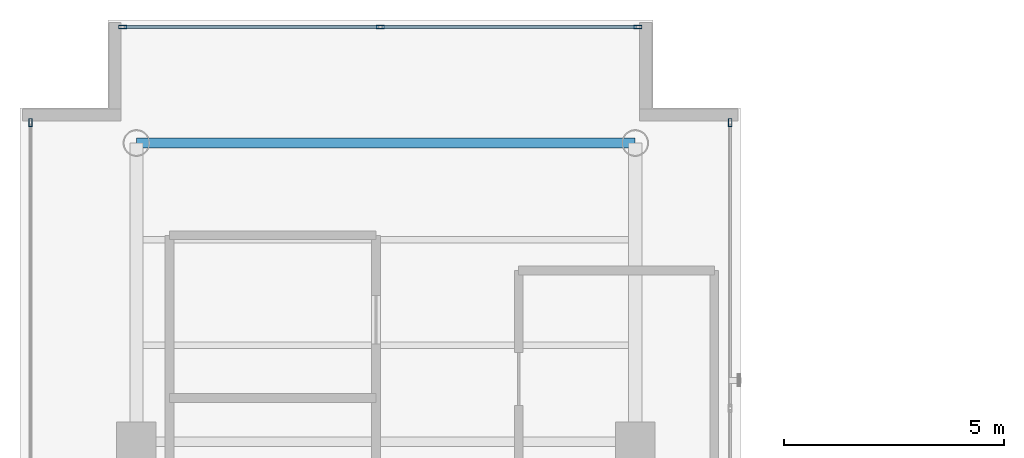
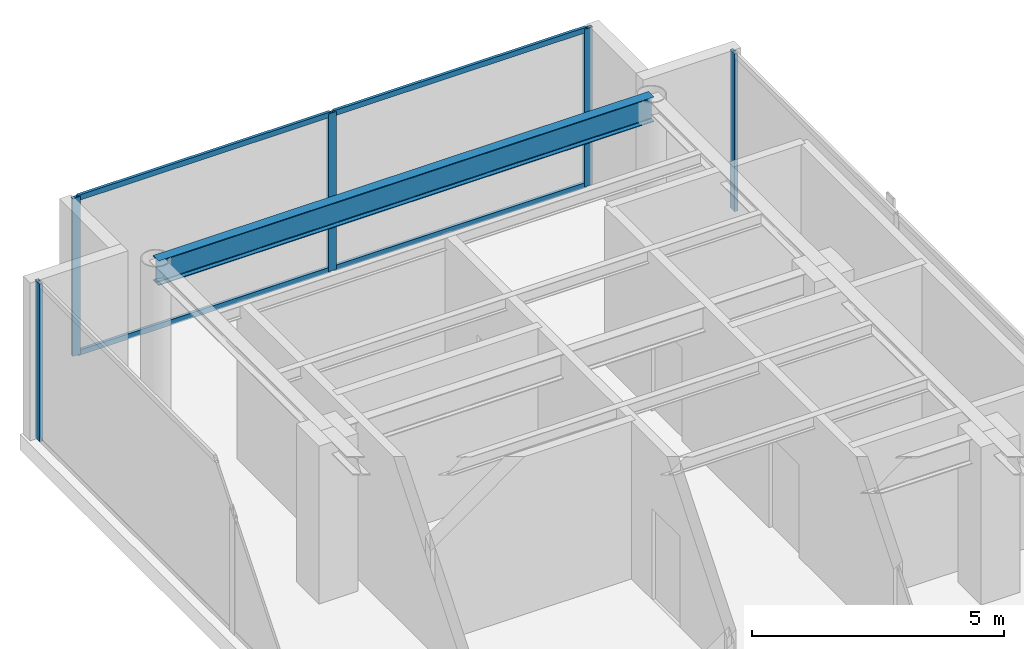
# One storey, part 18 of 24: 9 members, 1 beam, 3 elements without a shape of their own.
"""IFC4 building model written with IfcOpenShell, lengths in metres."""

import ifcopenshell
import ifcopenshell.guid

model = None  # the IFC model being written
_history = None  # IfcOwnerHistory: only IFC2X3 demands one
_inside = {}  # id of a spatial element -> (the spatial element, [elements in it])
_under = {}  # id of a project, library or spatial element -> (it, [spatial elements below it])
_declared = {}  # id of a project -> (the project, [libraries it declares])
_typed = {}  # id of a type object -> (the type object, [elements of that type])
_made_of = {}  # id of a material, layer set ... -> (it, [elements and type objects made of it])


def new_model(schema):
    """Start an empty IFC model of exactly this schema.

    Asked for "IFC4X3", IfcOpenShell would pick the latest addendum, in which some entities
    have other attributes; the version numbers below select the first issue.
    IFC2X3 requires an IfcOwnerHistory on every rooted entity: one is made here for all.
    """
    global model, _history
    if schema == "IFC4X3":
        model = ifcopenshell.file(schema_version=(4, 3, 0, 0))
    else:
        model = ifcopenshell.file(schema=schema)
    _inside.clear()
    _under.clear()
    _declared.clear()
    _typed.clear()
    _made_of.clear()
    _history = None
    if model.schema == "IFC2X3":
        org = make("IfcOrganization", Name="unknown")
        user = make(
            "IfcPersonAndOrganization",
            ThePerson=make("IfcPerson", FamilyName="unknown"),
            TheOrganization=org,
        )
        app = make(
            "IfcApplication",
            ApplicationDeveloper=org,
            Version="unknown",
            ApplicationFullName="unknown",
            ApplicationIdentifier="unknown",
        )
        _history = make(
            "IfcOwnerHistory",
            OwningUser=user,
            OwningApplication=app,
            ChangeAction="ADDED",
            CreationDate=0,
        )
    return model


def make(cls, **values):
    """One entity of the class cls with the attributes given. An attribute that is None is left unset."""
    return model.create_entity(
        cls, **{name: value for name, value in values.items() if value is not None}
    )


def rooted(cls, **values):
    """An entity with a GlobalId (a new one), such as an element, a storey or a relation."""
    return make(cls, GlobalId=ifcopenshell.guid.new(), OwnerHistory=_history, **values)


def si_unit(unit_type, name, prefix=None):
    """IfcSIUnit, for example si_unit("LENGTHUNIT", "METRE", prefix="MILLI")."""
    return make("IfcSIUnit", UnitType=unit_type, Prefix=prefix, Name=name)


def assignment(units):
    """IfcUnitAssignment: the units of a project."""
    return None if units is None else make("IfcUnitAssignment", Units=units)


def point(xyz):
    """IfcCartesianPoint."""
    return None if xyz is None else make("IfcCartesianPoint", Coordinates=xyz)


def direction(xyz):
    """IfcDirection."""
    return None if xyz is None else make("IfcDirection", DirectionRatios=xyz)


def frame(location, z_axis=None, x_axis=None):
    """IfcAxis2Placement3D, a coordinate frame: its origin and axes. An axis left out is left unset."""
    return make(
        "IfcAxis2Placement3D",
        Location=point(location),
        Axis=direction(z_axis),
        RefDirection=direction(x_axis),
    )


def frame_2d(location, x_axis=None):
    """IfcAxis2Placement2D, a coordinate frame in the plane: its origin and x axis."""
    return make(
        "IfcAxis2Placement2D", Location=point(location), RefDirection=direction(x_axis)
    )


def origin():
    """The frame at (0, 0, 0) with its axes left unset."""
    return frame((0.0, 0.0, 0.0))


def origin_with_axes():
    """The frame at (0, 0, 0) with the z axis (0, 0, 1) and the x axis (1, 0, 0) written out."""
    return frame((0.0, 0.0, 0.0), z_axis=(0.0, 0.0, 1.0), x_axis=(1.0, 0.0, 0.0))


def origin_2d():
    """The frame at (0, 0) in the plane with its x axis left unset."""
    return frame_2d((0.0, 0.0))


def place(relative_to, where):
    """IfcLocalPlacement: puts the frame where relative to a parent placement (None: the world)."""
    return make(
        "IfcLocalPlacement", PlacementRelTo=relative_to, RelativePlacement=where
    )


def context(
    kind, dimensions, precision=None, world=None, true_north=None, identifier=None
):
    """IfcGeometricRepresentationContext, for example the 3D "Model" context."""
    return make(
        "IfcGeometricRepresentationContext",
        ContextIdentifier=identifier,
        ContextType=kind,
        CoordinateSpaceDimension=dimensions,
        Precision=precision,
        WorldCoordinateSystem=world,
        TrueNorth=true_north,
    )


def subcontext(parent, identifier, kind, view, scale=None):
    """IfcGeometricRepresentationSubContext, for example "Body" below "Model"."""
    return make(
        "IfcGeometricRepresentationSubContext",
        ContextIdentifier=identifier,
        ContextType=kind,
        ParentContext=parent,
        TargetScale=scale,
        TargetView=view,
    )


def project(units=None, contexts=None):
    """IfcProject with its units and contexts."""
    return rooted(
        "IfcProject",
        Name="project",
        RepresentationContexts=contexts,
        UnitsInContext=assignment(units),
    )


def spatial(cls, under=None, at=None, **own):
    """A site, building, storey or space (cls), placed at a placement, below another one or the project."""
    s = rooted(cls, ObjectPlacement=at, **own)
    if under is not None:
        _under.setdefault(under.id(), (under, []))[1].append(s)
    return s


def profile(cls, at=None, kind="AREA", **sizes):
    """A parametric profile (cls). Its sizes go by their IFC names, for example OverallWidth=200.0."""
    return make(cls, ProfileType=kind, Position=at, **sizes)


def hollow_rectangle(**sizes):
    """IfcRectangleHollowProfileDef."""
    return profile("IfcRectangleHollowProfileDef", **sizes)


def i_section(**sizes):
    """IfcIShapeProfileDef."""
    return profile("IfcIShapeProfileDef", **sizes)


def extrude(swept, where, along, depth):
    """IfcExtrudedAreaSolid: the profile swept, set in the frame where, extruded along a direction by depth."""
    return make(
        "IfcExtrudedAreaSolid",
        SweptArea=swept,
        Position=where,
        ExtrudedDirection=direction(along),
        Depth=depth,
    )


def shape(context_of_items, identifier, shape_type, items):
    """IfcShapeRepresentation: the items that make up one representation, for example the "Body"."""
    return make(
        "IfcShapeRepresentation",
        ContextOfItems=context_of_items,
        RepresentationIdentifier=identifier,
        RepresentationType=shape_type,
        Items=items,
    )


def source(mapping_origin, context_of_items, identifier, shape_type, items):
    """IfcRepresentationMap: a shape defined once, which mapped items show again and again."""
    return make(
        "IfcRepresentationMap",
        MappingOrigin=mapping_origin,
        MappedRepresentation=shape(context_of_items, identifier, shape_type, items),
    )


def transform(
    local_origin,
    x_axis=None,
    y_axis=None,
    z_axis=None,
    scale=None,
    scale2=None,
    scale3=None,
    uniform=True,
):
    """IfcCartesianTransformationOperator3D, or its non-uniform kind. x_axis, y_axis, z_axis: its Axis1, 2, 3."""
    if uniform:
        return make(
            "IfcCartesianTransformationOperator3D",
            Axis1=direction(x_axis),
            Axis2=direction(y_axis),
            LocalOrigin=point(local_origin),
            Scale=scale,
            Axis3=direction(z_axis),
        )
    return make(
        "IfcCartesianTransformationOperator3DnonUniform",
        Axis1=direction(x_axis),
        Axis2=direction(y_axis),
        LocalOrigin=point(local_origin),
        Scale=scale,
        Axis3=direction(z_axis),
        Scale2=scale2,
        Scale3=scale3,
    )


def mapped(mapping_source, mapping_target):
    """IfcMappedItem: shows the shape of a source again, moved by a transform."""
    return make(
        "IfcMappedItem", MappingSource=mapping_source, MappingTarget=mapping_target
    )


def material(Name=None, Category=None):
    """IfcMaterial."""
    return make("IfcMaterial", Name=Name, Category=Category)


def layer(
    of_material, thickness, ventilated=None, Name=None, Category=None, Priority=None
):
    """IfcMaterialLayer: one layer of a wall or slab, of a material (None: an air gap)."""
    return make(
        "IfcMaterialLayer",
        Material=of_material,
        LayerThickness=thickness,
        IsVentilated=ventilated,
        Name=Name,
        Category=Category,
        Priority=Priority,
    )


def layer_set(layers, Name=None):
    """IfcMaterialLayerSet."""
    return make("IfcMaterialLayerSet", MaterialLayers=layers, LayerSetName=Name)


def material_profile(
    of_material, cross_section, Name=None, Category=None, Priority=None
):
    """IfcMaterialProfile: a cross section and its material."""
    return make(
        "IfcMaterialProfile",
        Name=Name,
        Material=of_material,
        Profile=cross_section,
        Priority=Priority,
        Category=Category,
    )


def profile_set(profiles, Name=None, composite=None):
    """IfcMaterialProfileSet."""
    return make(
        "IfcMaterialProfileSet",
        Name=Name,
        MaterialProfiles=profiles,
        CompositeProfile=composite,
    )


def made_of(thing, what):
    """Note that an element or type object is made of a material, layer set ...; save() writes the relation."""
    if what is not None:
        _made_of.setdefault(what.id(), (what, []))[1].append(thing)
    return thing


def type_object(cls, material=None, **own):
    """A type object (cls), such as IfcWallType, which elements share."""
    return made_of(rooted(cls, **own), material)


def element(
    cls,
    number,
    at=None,
    inside=None,
    cuts=None,
    type_object=None,
    material=None,
    context=None,
    identifier="Body",
    shape_type=None,
    held_by="IfcProductDefinitionShape",
    body=None,
    shapes=None,
    **own,
):
    """One element of the class cls, such as IfcWall. Its Tag is "e" and its number.

    at: its placement. inside: the storey or other place that contains it. cuts: it is an
    opening in that element (IfcRelVoidsElement). A single representation is given by context,
    identifier, shape_type and body (its items); several are given by shapes. held_by: the class
    of the entity that holds the representations. save() writes the other relations.
    """
    e = rooted(cls, Tag="e%d" % number, ObjectPlacement=at, **own)
    if body is not None:
        shapes = [shape(context, identifier, shape_type, body)]
    if shapes is not None:
        e.Representation = make(held_by, Representations=shapes)
    if inside is not None:
        _inside.setdefault(inside.id(), (inside, []))[1].append(e)
    if cuts is not None:
        rooted(
            "IfcRelVoidsElement", RelatingBuildingElement=cuts, RelatedOpeningElement=e
        )
    if type_object is not None:
        _typed.setdefault(type_object.id(), (type_object, []))[1].append(e)
    return made_of(e, material)


def aggregate(whole, parts):
    """IfcRelAggregates: a whole, such as a stair, and the parts it consists of."""
    return rooted("IfcRelAggregates", RelatingObject=whole, RelatedObjects=parts)


def save(model, path):
    """Write the relations noted so far, then the file.

    IfcRelAggregates (storeys below a building ...), IfcRelContainedInSpatialStructure (elements
    in a storey), IfcRelDefinesByType, IfcRelAssociatesMaterial and IfcRelDeclares: one each for
    every whole, place, type object, material and project.
    """
    for whole, parts in _under.values():
        aggregate(whole, parts)
    for where, things in _inside.values():
        rooted(
            "IfcRelContainedInSpatialStructure",
            RelatedElements=things,
            RelatingStructure=where,
        )
    for kind, things in _typed.values():
        rooted("IfcRelDefinesByType", RelatedObjects=things, RelatingType=kind)
    for what, things in _made_of.values():
        rooted("IfcRelAssociatesMaterial", RelatedObjects=things, RelatingMaterial=what)
    for by, libraries in _declared.values():
        rooted("IfcRelDeclares", RelatingContext=by, RelatedDefinitions=libraries)
    model.write(path)


model = new_model("IFC4")

# Units and contexts
model_context = context("Model", 3, precision=1e-05, world=origin(), true_north=direction((0.0, 1.0)))
body_context = subcontext(model_context, "Body", "Model", "MODEL_VIEW")
ifc_project = project(units=[si_unit("LENGTHUNIT", "METRE"), si_unit("AREAUNIT", "SQUARE_METRE"), si_unit("VOLUMEUNIT", "CUBIC_METRE"), si_unit("PLANEANGLEUNIT", "RADIAN"), si_unit("MASSUNIT", "GRAM", prefix="KILO")], contexts=[model_context])

# Site, building, storey
site_placement = place(None, origin())
site = spatial("IfcSite", under=ifc_project, at=site_placement, CompositionType="ELEMENT")
building_placement = place(site_placement, origin())
building = spatial("IfcBuilding", under=site, at=building_placement, Name="Kolvaren Waterfront Exchange", CompositionType="ELEMENT")
storey_placement = place(building_placement, frame((0.0, 0.0, 356.199951171875)))
storey = spatial("IfcBuildingStorey", under=building, at=storey_placement, Name="L91", CompositionType="ELEMENT", Elevation=356.199951171875)

# Beam
ifc_material_1 = material(Name="Steel S355", Category="steel")
ifc_material_profile_1 = material_profile(ifc_material_1, i_section(OverallWidth=0.219970703125, OverallDepth=0.60009765625, WebThickness=0.011962890625, FlangeThickness=0.01904296875, FilletRadius=0.02392578125, at=origin_2d()), Name="IPE600")
ifc_profile_set_1 = profile_set([ifc_material_profile_1], Name="Steel S355")
beam_type = type_object("IfcBeamType", Name="STR-BM-IPE600", PredefinedType="BEAM", material=ifc_profile_set_1)
beam_placement = place(storey_placement, frame((7.449951171875, 44.60009765625, 3.52001953125), z_axis=(1.0, 0.0, 0.0), x_axis=(0.0, 1.0, 0.0)))
element("IfcBeam", 1, at=beam_placement, inside=storey, type_object=beam_type, Name="L91 north-arm girder 4", PredefinedType="BEAM", context=body_context, shape_type="SweptSolid", body=[
    extrude(i_section(OverallWidth=0.219970703125, OverallDepth=0.60009765625, WebThickness=0.011962890625, FlangeThickness=0.01904296875, FilletRadius=0.02392578125, at=origin_2d()), origin(), (0.0, 0.0, 1.0), 11.35009765625),
])

# Curtain wall, member
ifc_material_2 = material(Name="Anodised dark bronze spandrel aluminium", Category="aluminium")
ifc_layer = layer(ifc_material_2, 0.219970703125, Name="Anodised dark bronze spandrel aluminium")
ifc_layer_set = layer_set([ifc_layer], Name="Anodised dark bronze spandrel aluminium")
curtain_wall_type = type_object("IfcCurtainWallType", Name="ARC-CW-SYS6", PredefinedType="USERDEFINED", material=ifc_layer_set)
curtain_wall_1_placement = place(storey_placement, origin())
curtain_wall_1 = element("IfcCurtainWall", 2, at=curtain_wall_1_placement, inside=storey, type_object=curtain_wall_type, Name="L91 stick curtain wall CW6 (CW-L91-W)", ObjectType="STICK CURTAIN WALL", PredefinedType="USERDEFINED")
ifc_material_3 = material(Name="Anodised bronze aluminium 6063-T6", Category="aluminium")
ifc_material_profile_2 = material_profile(ifc_material_3, hollow_rectangle(XDim=0.074951171875, YDim=0.179931640625, WallThickness=0.00439453125, at=origin_2d()), Name="ALU-MUL-180x75x4.5")
ifc_profile_set_2 = profile_set([ifc_material_profile_2], Name="Anodised bronze aluminium 6063-T6")
member_type_1 = type_object("IfcMemberType", Name="ARC-CWM-180", PredefinedType="MULLION", material=ifc_profile_set_2)
shared_shape_1 = source(origin_with_axes(), body_context, "Body", "SweptSolid", [
    extrude(hollow_rectangle(XDim=0.074951171875, YDim=0.179931640625, WallThickness=0.00439453125, at=origin_2d()), origin(), (0.0, 0.0, 1.0), 3.820068359375),
])
member_1_placement = place(storey_placement, frame((5.0400390625, 45.0625, 0.0), z_axis=(0.0, 0.0, 1.0), x_axis=(-1.0, 0.0, 0.0)))
member_1 = element("IfcMember", 3, at=member_1_placement, type_object=member_type_1, Name="CW6 mullion 6", PredefinedType="MULLION", context=body_context, shape_type="MappedRepresentation", body=[
    mapped(shared_shape_1, transform((0.0, 0.0, 0.0), x_axis=(1.0, 0.0, 0.0), y_axis=(0.0, 1.0, 0.0), z_axis=(0.0, 0.0, 1.0), scale=1.0)),
])
aggregate(curtain_wall_1, [member_1])

curtain_wall_2_placement = place(storey_placement, origin())
curtain_wall_2 = element("IfcCurtainWall", 4, at=curtain_wall_2_placement, inside=storey, type_object=curtain_wall_type, Name="L91 stick curtain wall CW6 (CW-L91-NE)", ObjectType="STICK CURTAIN WALL", PredefinedType="USERDEFINED")
member_2_placement = place(storey_placement, frame((20.9599609375, 45.0625, 0.0), z_axis=(0.0, 0.0, 1.0), x_axis=(-1.0, 0.0, 0.0)))
member_2 = element("IfcMember", 5, at=member_2_placement, type_object=member_type_1, Name="CW6 mullion 4", PredefinedType="MULLION", context=body_context, shape_type="MappedRepresentation", body=[
    mapped(shared_shape_1, transform((0.0, 0.0, 0.0), x_axis=(1.0, 0.0, 0.0), y_axis=(0.0, 1.0, 0.0), z_axis=(0.0, 0.0, 1.0), scale=1.0)),
])
aggregate(curtain_wall_2, [member_2])

# Curtain wall, members
curtain_wall_3_placement = place(storey_placement, origin())
curtain_wall_3 = element("IfcCurtainWall", 6, at=curtain_wall_3_placement, inside=storey, type_object=curtain_wall_type, Name="L91 stick curtain wall CW6 (CW-L91-NT)", ObjectType="STICK CURTAIN WALL", PredefinedType="USERDEFINED")
member_3_placement = place(storey_placement, frame((7.137451171875, 47.239990234375, 0.0), z_axis=(0.0, 0.0, 1.0), x_axis=(0.0, 1.0, 0.0)))
member_3 = element("IfcMember", 7, at=member_3_placement, type_object=member_type_1, Name="CW6 mullion 1", PredefinedType="MULLION", context=body_context, shape_type="MappedRepresentation", body=[
    mapped(shared_shape_1, transform((0.0, 0.0, 0.0), x_axis=(1.0, 0.0, 0.0), y_axis=(0.0, 1.0, 0.0), z_axis=(0.0, 0.0, 1.0), scale=1.0)),
])
member_4_placement = place(storey_placement, frame((13.0, 47.239990234375, 0.0), z_axis=(0.0, 0.0, 1.0), x_axis=(0.0, 1.0, 0.0)))
member_4 = element("IfcMember", 8, at=member_4_placement, type_object=member_type_1, Name="CW6 mullion 2", PredefinedType="MULLION", context=body_context, shape_type="MappedRepresentation", body=[
    mapped(shared_shape_1, transform((0.0, 0.0, 0.0), x_axis=(1.0, 0.0, 0.0), y_axis=(0.0, 1.0, 0.0), z_axis=(0.0, 0.0, 1.0), scale=1.0)),
])
member_5_placement = place(storey_placement, frame((18.862548828125, 47.239990234375, 0.0), z_axis=(0.0, 0.0, 1.0), x_axis=(0.0, 1.0, 0.0)))
member_5 = element("IfcMember", 9, at=member_5_placement, type_object=member_type_1, Name="CW6 mullion 3", PredefinedType="MULLION", context=body_context, shape_type="MappedRepresentation", body=[
    mapped(shared_shape_1, transform((0.0, 0.0, 0.0), x_axis=(1.0, 0.0, 0.0), y_axis=(0.0, 1.0, 0.0), z_axis=(0.0, 0.0, 1.0), scale=1.0)),
])
ifc_material_profile_3 = material_profile(ifc_material_3, hollow_rectangle(XDim=0.06494140625, YDim=0.1298828125, WallThickness=0.00390625, at=origin_2d()), Name="ALU-TRN-130x65x4")
ifc_profile_set_3 = profile_set([ifc_material_profile_3], Name="Anodised bronze aluminium 6063-T6")
member_type_2 = type_object("IfcMemberType", Name="ARC-CWT-130", PredefinedType="USERDEFINED", material=ifc_profile_set_3)
shared_shape_2 = source(origin_with_axes(), body_context, "Body", "SweptSolid", [
    extrude(hollow_rectangle(XDim=0.06494140625, YDim=0.1298828125, WallThickness=0.00390625, at=origin_2d()), origin(), (0.0, 0.0, 1.0), 5.787353515625),
])
member_6_placement = place(storey_placement, frame((7.175048828125, 47.239990234375, 0.032470703125), z_axis=(1.0, 0.0, 0.0), x_axis=(0.0, 1.0, 0.0)))
member_6 = element("IfcMember", 10, at=member_6_placement, type_object=member_type_2, Name="CW6 transom 1.1", ObjectType="TRANSOM", PredefinedType="USERDEFINED", context=body_context, shape_type="MappedRepresentation", body=[
    mapped(shared_shape_2, transform((0.0, 0.0, 0.0), x_axis=(1.0, 0.0, 0.0), y_axis=(0.0, 1.0, 0.0), z_axis=(0.0, 0.0, 1.0), scale=1.0)),
])
member_7_placement = place(storey_placement, frame((7.175048828125, 47.239990234375, 3.78759765625), z_axis=(1.0, 0.0, 0.0), x_axis=(0.0, 1.0, 0.0)))
member_7 = element("IfcMember", 11, at=member_7_placement, type_object=member_type_2, Name="CW6 transom 1.2", ObjectType="TRANSOM", PredefinedType="USERDEFINED", context=body_context, shape_type="MappedRepresentation", body=[
    mapped(shared_shape_2, transform((0.0, 0.0, 0.0), x_axis=(1.0, 0.0, 0.0), y_axis=(0.0, 1.0, 0.0), z_axis=(0.0, 0.0, 1.0), scale=1.0)),
])
member_8_placement = place(storey_placement, frame((13.03759765625, 47.239990234375, 0.032470703125), z_axis=(1.0, 0.0, 0.0), x_axis=(0.0, 1.0, 0.0)))
member_8 = element("IfcMember", 12, at=member_8_placement, type_object=member_type_2, Name="CW6 transom 2.1", ObjectType="TRANSOM", PredefinedType="USERDEFINED", context=body_context, shape_type="MappedRepresentation", body=[
    mapped(shared_shape_2, transform((0.0, 0.0, 0.0), x_axis=(1.0, 0.0, 0.0), y_axis=(0.0, 1.0, 0.0), z_axis=(0.0, 0.0, 1.0), scale=1.0)),
])
member_9_placement = place(storey_placement, frame((13.03759765625, 47.239990234375, 3.78759765625), z_axis=(1.0, 0.0, 0.0), x_axis=(0.0, 1.0, 0.0)))
member_9 = element("IfcMember", 13, at=member_9_placement, type_object=member_type_2, Name="CW6 transom 2.2", ObjectType="TRANSOM", PredefinedType="USERDEFINED", context=body_context, shape_type="MappedRepresentation", body=[
    mapped(shared_shape_2, transform((0.0, 0.0, 0.0), x_axis=(1.0, 0.0, 0.0), y_axis=(0.0, 1.0, 0.0), z_axis=(0.0, 0.0, 1.0), scale=1.0)),
])
aggregate(curtain_wall_3, [member_3, member_4, member_5, member_6, member_7, member_8, member_9])

save(model, "model.ifc")
